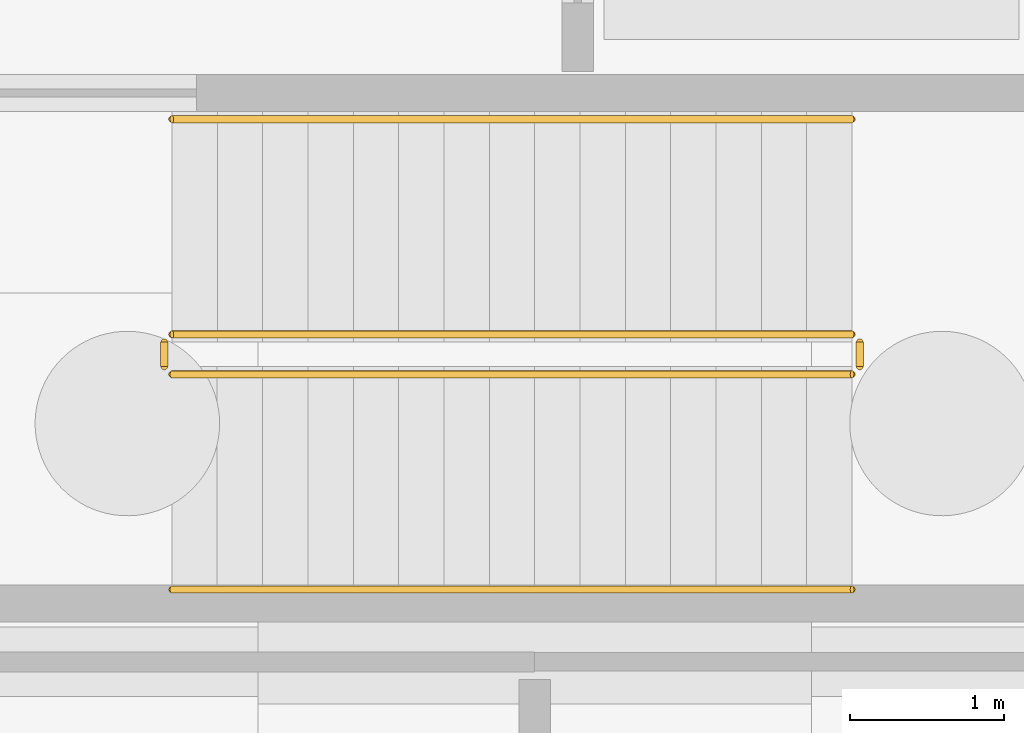
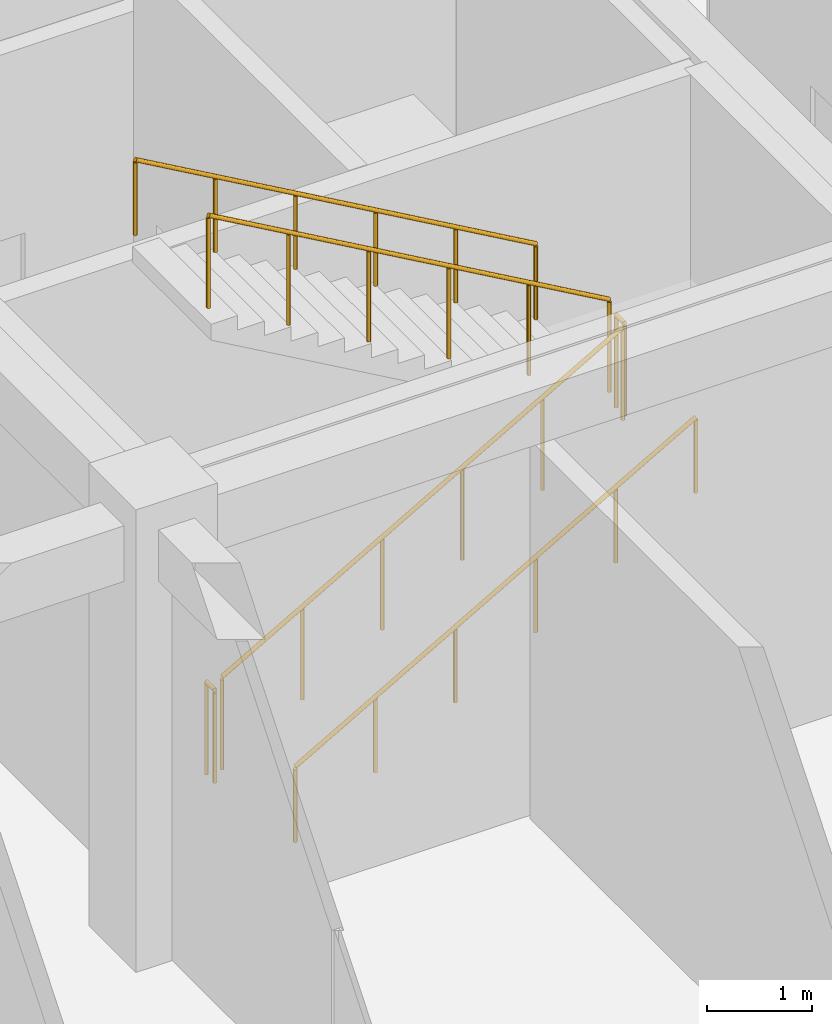
# One storey, part 55 of 65: 6 railings.
"""IFC4 building model written with IfcOpenShell, lengths in metres."""

from ifc_helpers import new_model, si_unit, direction, frame, origin, origin_2d, place, context, subcontext, project, spatial, circle, extrude, material, type_object, element, save


model = new_model("IFC4")

# Units and contexts
model_context = context("Model", 3, precision=1e-05, world=origin(), true_north=direction((0.0, 1.0)))
body_context = subcontext(model_context, "Body", "Model", "MODEL_VIEW")
ifc_project = project(units=[si_unit("LENGTHUNIT", "METRE"), si_unit("AREAUNIT", "SQUARE_METRE"), si_unit("VOLUMEUNIT", "CUBIC_METRE"), si_unit("PLANEANGLEUNIT", "RADIAN"), si_unit("MASSUNIT", "GRAM", prefix="KILO")], contexts=[model_context])

# Site, building, storey
site_placement = place(None, origin())
site = spatial("IfcSite", under=ifc_project, at=site_placement, CompositionType="ELEMENT")
building_placement = place(site_placement, origin())
building = spatial("IfcBuilding", under=site, at=building_placement, Name="Bramfleet General Hospital", CompositionType="ELEMENT")
storey_placement = place(building_placement, frame((0.0, 0.0, -5.39990234375)))
storey = spatial("IfcBuildingStorey", under=building, at=storey_placement, Name="B1", CompositionType="ELEMENT", Elevation=-5.39990234375)

# Railings
ifc_material_1 = material(Name="Powder-coated steel stair balustrade", Category="steel")
railing_type_1 = type_object("IfcRailingType", Name="RAIL-ST-GUARD", PredefinedType="GUARDRAIL", material=ifc_material_1)
railing_1_placement = place(storey_placement, frame((102.639892578125, 10.27001953125, 0.168701171875)))
element("IfcRailing", 1, at=railing_1_placement, inside=storey, type_object=railing_type_1, Name="B1 ST-C3 stair guard 1", PredefinedType="GUARDRAIL", context=body_context, shape_type="SweptSolid", body=[
    extrude(circle(Radius=0.02392578125, at=origin_2d()), frame((0.0, 0.0, 1.076171875), z_axis=(0.868019072493, 0.0, 0.49653085482), x_axis=(0.0, 1.0, 0.0)), (0.0, 0.0, 1.0), 5.097900390625),
    extrude(circle(Radius=0.02099609375, at=origin_2d()), origin(), (0.0, 0.0, 1.0), 1.052001953125),
    extrude(circle(Radius=0.02099609375, at=origin_2d()), frame((0.885009765625, 0.0, 0.50634765625)), (0.0, 0.0, 1.0), 1.052001953125),
    extrude(circle(Radius=0.02099609375, at=origin_2d()), frame((1.77001953125, 0.0, 1.012451171875)), (0.0, 0.0, 1.0), 1.052001953125),
    extrude(circle(Radius=0.02099609375, at=origin_2d()), frame((2.655029296875, 0.0, 1.518798828125)), (0.0, 0.0, 1.0), 1.052001953125),
    extrude(circle(Radius=0.02099609375, at=origin_2d()), frame((3.5400390625, 0.0, 2.02490234375)), (0.0, 0.0, 1.0), 1.052001953125),
    extrude(circle(Radius=0.02099609375, at=origin_2d()), frame((4.425048828125, 0.0, 2.53125)), (0.0, 0.0, 1.0), 1.052001953125),
])
railing_2_placement = place(storey_placement, frame((107.114990234375, 10.320068359375, 2.699951171875)))
element("IfcRailing", 2, at=railing_2_placement, inside=storey, type_object=railing_type_1, Name="B1 ST-C3 stair guard 2", PredefinedType="GUARDRAIL", context=body_context, shape_type="SweptSolid", body=[
    extrude(circle(Radius=0.02392578125, at=origin_2d()), frame((0.0, 0.0, 1.076171875), z_axis=(0.0, 1.0, 0.0), x_axis=(-1.0, 0.0, 0.0)), (0.0, 0.0, 1.0), 0.159912109375),
    extrude(circle(Radius=0.02099609375, at=origin_2d()), origin(), (0.0, 0.0, 1.0), 1.052001953125),
    extrude(circle(Radius=0.02099609375, at=origin_2d()), frame((0.0, 0.159912109375, 0.0)), (0.0, 0.0, 1.0), 1.052001953125),
])
railing_3_placement = place(storey_placement, frame((107.06494140625, 10.530029296875, 2.86865234375)))
element("IfcRailing", 3, at=railing_3_placement, inside=storey, type_object=railing_type_1, Name="B1 ST-C3 stair guard 3", PredefinedType="GUARDRAIL", context=body_context, shape_type="SweptSolid", body=[
    extrude(circle(Radius=0.02392578125, at=origin_2d()), frame((0.0, 0.0, 1.076171875), z_axis=(-0.868019072493, 0.0, 0.49653085482), x_axis=(0.0, -1.0, 0.0)), (0.0, 0.0, 1.0), 5.097900390625),
    extrude(circle(Radius=0.02099609375, at=origin_2d()), origin(), (0.0, 0.0, 1.0), 1.052001953125),
    extrude(circle(Radius=0.02099609375, at=origin_2d()), frame((-0.885009765625, 0.0, 0.50634765625)), (0.0, 0.0, 1.0), 1.052001953125),
    extrude(circle(Radius=0.02099609375, at=origin_2d()), frame((-1.77001953125, 0.0, 1.012451171875)), (0.0, 0.0, 1.0), 1.052001953125),
    extrude(circle(Radius=0.02099609375, at=origin_2d()), frame((-2.655029296875, 0.0, 1.518798828125)), (0.0, 0.0, 1.0), 1.052001953125),
    extrude(circle(Radius=0.02099609375, at=origin_2d()), frame((-3.5400390625, 0.0, 2.02490234375)), (0.0, 0.0, 1.0), 1.052001953125),
    extrude(circle(Radius=0.02099609375, at=origin_2d()), frame((-4.425048828125, 0.0, 2.53125)), (0.0, 0.0, 1.0), 1.052001953125),
])
railing_4_placement = place(storey_placement, frame((102.590087890625, 10.320068359375, 0.0)))
element("IfcRailing", 4, at=railing_4_placement, inside=storey, type_object=railing_type_1, Name="B1 ST-C3 stair guard 4", PredefinedType="GUARDRAIL", context=body_context, shape_type="SweptSolid", body=[
    extrude(circle(Radius=0.02392578125, at=origin_2d()), frame((0.0, 0.0, 1.076171875), z_axis=(0.0, 1.0, 0.0), x_axis=(-1.0, 0.0, 0.0)), (0.0, 0.0, 1.0), 0.159912109375),
    extrude(circle(Radius=0.02099609375, at=origin_2d()), origin(), (0.0, 0.0, 1.0), 1.052001953125),
    extrude(circle(Radius=0.02099609375, at=origin_2d()), frame((0.0, 0.159912109375, 0.0)), (0.0, 0.0, 1.0), 1.052001953125),
])
ifc_material_2 = material(Name="Stainless steel 1.4301 stair handrail", Category="steel")
railing_type_2 = type_object("IfcRailingType", Name="RAIL-ST-HND", PredefinedType="HANDRAIL", material=ifc_material_2)
railing_5_placement = place(storey_placement, frame((102.639892578125, 8.8701171875, 0.168701171875)))
element("IfcRailing", 5, at=railing_5_placement, inside=storey, type_object=railing_type_2, Name="B1 ST-C3 stair handrail 1", PredefinedType="HANDRAIL", context=body_context, shape_type="SweptSolid", body=[
    extrude(circle(Radius=0.02392578125, at=origin_2d()), frame((0.0, 0.0, 0.8759765625), z_axis=(0.868019072493, 0.0, 0.49653085482), x_axis=(0.0, 1.0, 0.0)), (0.0, 0.0, 1.0), 5.097900390625),
    extrude(circle(Radius=0.02099609375, at=origin_2d()), origin(), (0.0, 0.0, 1.0), 0.851806640625),
    extrude(circle(Radius=0.02099609375, at=origin_2d()), frame((0.885009765625, 0.0, 0.50634765625)), (0.0, 0.0, 1.0), 0.851806640625),
    extrude(circle(Radius=0.02099609375, at=origin_2d()), frame((1.77001953125, 0.0, 1.012451171875)), (0.0, 0.0, 1.0), 0.851806640625),
    extrude(circle(Radius=0.02099609375, at=origin_2d()), frame((2.655029296875, 0.0, 1.518798828125)), (0.0, 0.0, 1.0), 0.851806640625),
    extrude(circle(Radius=0.02099609375, at=origin_2d()), frame((3.5400390625, 0.0, 2.02490234375)), (0.0, 0.0, 1.0), 0.851806640625),
    extrude(circle(Radius=0.02099609375, at=origin_2d()), frame((4.425048828125, 0.0, 2.53125)), (0.0, 0.0, 1.0), 0.851806640625),
])
railing_6_placement = place(storey_placement, frame((107.06494140625, 11.929931640625, 2.86865234375)))
element("IfcRailing", 6, at=railing_6_placement, inside=storey, type_object=railing_type_2, Name="B1 ST-C3 stair handrail 2", PredefinedType="HANDRAIL", context=body_context, shape_type="SweptSolid", body=[
    extrude(circle(Radius=0.02392578125, at=origin_2d()), frame((0.0, 0.0, 0.8759765625), z_axis=(-0.868019072493, 0.0, 0.49653085482), x_axis=(0.0, -1.0, 0.0)), (0.0, 0.0, 1.0), 5.097900390625),
    extrude(circle(Radius=0.02099609375, at=origin_2d()), origin(), (0.0, 0.0, 1.0), 0.851806640625),
    extrude(circle(Radius=0.02099609375, at=origin_2d()), frame((-0.885009765625, 0.0, 0.50634765625)), (0.0, 0.0, 1.0), 0.851806640625),
    extrude(circle(Radius=0.02099609375, at=origin_2d()), frame((-1.77001953125, 0.0, 1.012451171875)), (0.0, 0.0, 1.0), 0.851806640625),
    extrude(circle(Radius=0.02099609375, at=origin_2d()), frame((-2.655029296875, 0.0, 1.518798828125)), (0.0, 0.0, 1.0), 0.851806640625),
    extrude(circle(Radius=0.02099609375, at=origin_2d()), frame((-3.5400390625, 0.0, 2.02490234375)), (0.0, 0.0, 1.0), 0.851806640625),
    extrude(circle(Radius=0.02099609375, at=origin_2d()), frame((-4.425048828125, 0.0, 2.53125)), (0.0, 0.0, 1.0), 0.851806640625),
])

save(model, "model.ifc")
